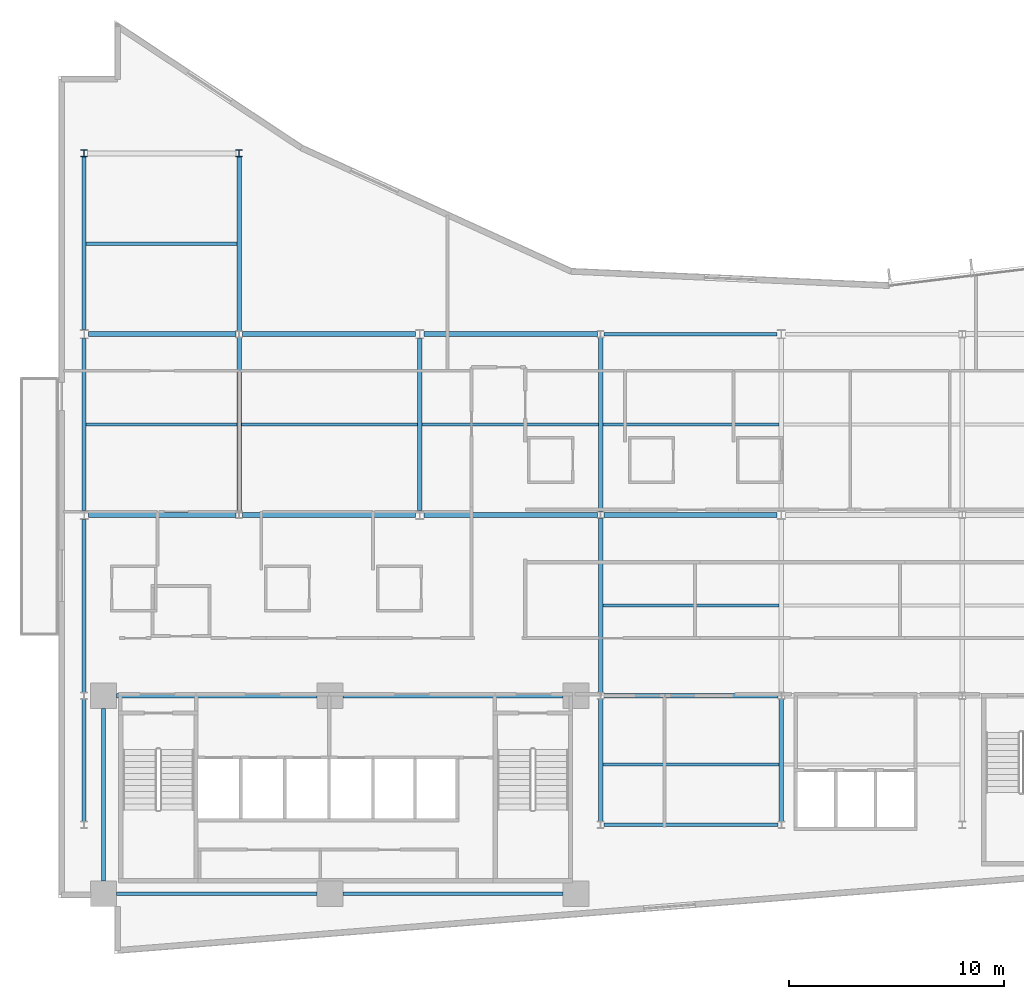
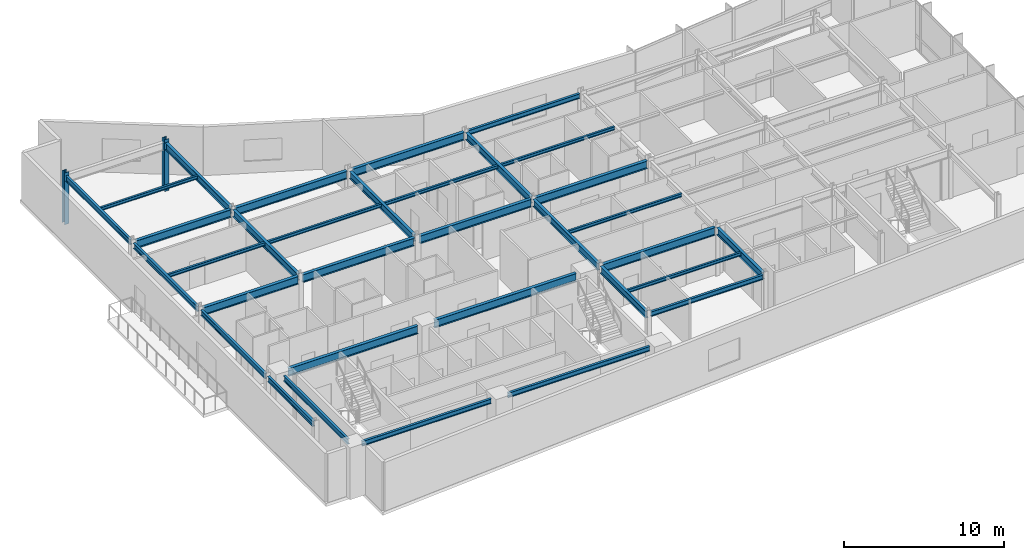
# One storey, part 3 of 18: 33 beams, 2 columns.
"""IFC4 building model written with IfcOpenShell, lengths in metres."""

from ifc_helpers import new_model, si_unit, direction, frame, origin, origin_2d, place, context, subcontext, project, spatial, i_section, extrude, material, material_profile, profile_set, type_object, element, save


model = new_model("IFC4")

# Units and contexts
model_context = context("Model", 3, precision=1e-05, world=origin(), true_north=direction((0.0, 1.0)))
body_context = subcontext(model_context, "Body", "Model", "MODEL_VIEW")
ifc_project = project(units=[si_unit("LENGTHUNIT", "METRE"), si_unit("AREAUNIT", "SQUARE_METRE"), si_unit("VOLUMEUNIT", "CUBIC_METRE"), si_unit("PLANEANGLEUNIT", "RADIAN"), si_unit("MASSUNIT", "GRAM", prefix="KILO")], contexts=[model_context])

# Site, building, storey
site_placement = place(None, origin())
site = spatial("IfcSite", under=ifc_project, at=site_placement, CompositionType="ELEMENT")
building_placement = place(site_placement, origin())
building = spatial("IfcBuilding", under=site, at=building_placement, Name="Varnakote Quay Hospital", CompositionType="ELEMENT")
storey_placement = place(building_placement, frame((0.0, 0.0, 119.14990234375)))
storey = spatial("IfcBuildingStorey", under=building, at=storey_placement, Name="L29", CompositionType="ELEMENT", Elevation=119.14990234375)

# Columns
ifc_material_1 = material(Name="Structural steel AS/NZS 3679.1 Grade 350 L0 (fy 340 MPa)", Category="steel")
ifc_material_profile_1 = material_profile(ifc_material_1, i_section(OverallWidth=0.30908203125, OverallDepth=0.321044921875, WebThickness=0.013916015625, FlangeThickness=0.021728515625, FilletRadius=0.0166015625, at=origin_2d()), Name="310UC137")
ifc_profile_set_1 = profile_set([ifc_material_profile_1], Name="Structural steel AS/NZS 3679.1 Grade 350 L0 (fy 340 MPa)")
column_type = type_object("IfcColumnType", Name="COL-STL-310UC137", PredefinedType="COLUMN", material=ifc_profile_set_1)
for number, where, z_axis, x_axis, name in (
    (1, (1.199951171875, 37.199951171875, 0.0), (0.0, 0.0, 1.0), (1.0, 0.0, 0.0), "L29 Structural Column C-1-37"),
    (2, (8.39990234375, 37.199951171875, 0.0), (0.0, 0.0, 1.0), (1.0, 0.0, 0.0), "L29 Structural Column C-8-37"),
):
    element("IfcColumn", number, at=place(storey_placement, frame(where, z_axis=z_axis, x_axis=x_axis)), inside=storey, type_object=column_type, Name=name, PredefinedType="COLUMN", context=body_context, shape_type="SweptSolid", body=[
        extrude(i_section(OverallWidth=0.30908203125, OverallDepth=0.321044921875, WebThickness=0.013916015625, FlangeThickness=0.021728515625, FilletRadius=0.0166015625, at=origin_2d()), origin(), (0.0, 0.0, 1.0), 3.9501953125),
    ])

# Beams
ifc_material_2 = material(Name="Structural steel AS/NZS 3679.1 Grade 350 L0 (fy 340 MPa)", Category="steel")
ifc_material_profile_2 = material_profile(ifc_material_2, i_section(OverallWidth=0.208984375, OverallDepth=0.532958984375, WebThickness=0.01025390625, FlangeThickness=0.015625, FilletRadius=0.013916015625, at=origin_2d()), Name="530UB92.4")
ifc_profile_set_2 = profile_set([ifc_material_profile_2], Name="Structural steel AS/NZS 3679.1 Grade 350 L0 (fy 340 MPa)")
beam_type_1 = type_object("IfcBeamType", Name="BM-STL-530UB92-4", PredefinedType="BEAM", material=ifc_profile_set_2)
beam_1_placement = place(storey_placement, frame((8.39990234375, 20.560546875, 3.443603515625), z_axis=(0.0, 1.0, 0.0), x_axis=(-1.0, 0.0, 0.0)))
element("IfcBeam", 3, at=beam_1_placement, inside=storey, type_object=beam_type_1, Name="L29 Primary Tie Beam", PredefinedType="BEAM", context=body_context, shape_type="SweptSolid", body=[
    extrude(i_section(OverallWidth=0.208984375, OverallDepth=0.532958984375, WebThickness=0.01025390625, FlangeThickness=0.015625, FilletRadius=0.013916015625, at=origin_2d()), origin(), (0.0, 0.0, 1.0), 8.078857421875),
])
beam_2_placement = place(storey_placement, frame((8.39990234375, 28.96044921875, 3.443603515625), z_axis=(0.0, 1.0, 0.0), x_axis=(-1.0, 0.0, 0.0)))
element("IfcBeam", 4, at=beam_2_placement, inside=storey, type_object=beam_type_1, Name="L29 Primary Tie Beam", PredefinedType="BEAM", context=body_context, shape_type="SweptSolid", body=[
    extrude(i_section(OverallWidth=0.208984375, OverallDepth=0.532958984375, WebThickness=0.01025390625, FlangeThickness=0.015625, FilletRadius=0.013916015625, at=origin_2d()), origin(), (0.0, 0.0, 1.0), 8.0791015625),
])
beam_3_placement = place(storey_placement, frame((16.800048828125, 20.610107421875, 3.443603515625), z_axis=(0.0, 1.0, 0.0), x_axis=(-1.0, 0.0, 0.0)))
element("IfcBeam", 5, at=beam_3_placement, inside=storey, type_object=beam_type_1, Name="L29 Primary Tie Beam", PredefinedType="BEAM", context=body_context, shape_type="SweptSolid", body=[
    extrude(i_section(OverallWidth=0.208984375, OverallDepth=0.532958984375, WebThickness=0.01025390625, FlangeThickness=0.015625, FilletRadius=0.013916015625, at=origin_2d()), origin(), (0.0, 0.0, 1.0), 7.97998046875),
])
beam_4_placement = place(storey_placement, frame((25.199951171875, 6.160400390625, 3.443603515625), z_axis=(0.0, 1.0, 0.0), x_axis=(-1.0, 0.0, 0.0)))
element("IfcBeam", 6, at=beam_4_placement, inside=storey, type_object=beam_type_1, Name="L29 Primary Tie Beam", PredefinedType="BEAM", context=body_context, shape_type="SweptSolid", body=[
    extrude(i_section(OverallWidth=0.208984375, OverallDepth=0.532958984375, WebThickness=0.01025390625, FlangeThickness=0.015625, FilletRadius=0.013916015625, at=origin_2d()), origin(), (0.0, 0.0, 1.0), 5.67919921875),
])
beam_5_placement = place(storey_placement, frame((25.199951171875, 12.160400390625, 3.443603515625), z_axis=(0.0, 1.0, 0.0), x_axis=(-1.0, 0.0, 0.0)))
element("IfcBeam", 7, at=beam_5_placement, inside=storey, type_object=beam_type_1, Name="L29 Primary Tie Beam", PredefinedType="BEAM", context=body_context, shape_type="SweptSolid", body=[
    extrude(i_section(OverallWidth=0.208984375, OverallDepth=0.532958984375, WebThickness=0.01025390625, FlangeThickness=0.015625, FilletRadius=0.013916015625, at=origin_2d()), origin(), (0.0, 0.0, 1.0), 8.0791015625),
])
beam_6_placement = place(storey_placement, frame((25.199951171875, 20.560546875, 3.443603515625), z_axis=(0.0, 1.0, 0.0), x_axis=(-1.0, 0.0, 0.0)))
element("IfcBeam", 8, at=beam_6_placement, inside=storey, type_object=beam_type_1, Name="L29 Primary Tie Beam", PredefinedType="BEAM", context=body_context, shape_type="SweptSolid", body=[
    extrude(i_section(OverallWidth=0.208984375, OverallDepth=0.532958984375, WebThickness=0.01025390625, FlangeThickness=0.015625, FilletRadius=0.013916015625, at=origin_2d()), origin(), (0.0, 0.0, 1.0), 8.078857421875),
])
beam_7_placement = place(storey_placement, frame((33.60009765625, 6.160400390625, 3.443603515625), z_axis=(0.0, 1.0, 0.0), x_axis=(-1.0, 0.0, 0.0)))
element("IfcBeam", 9, at=beam_7_placement, inside=storey, type_object=beam_type_1, Name="L29 Primary Tie Beam", PredefinedType="BEAM", context=body_context, shape_type="SweptSolid", body=[
    extrude(i_section(OverallWidth=0.208984375, OverallDepth=0.532958984375, WebThickness=0.01025390625, FlangeThickness=0.015625, FilletRadius=0.013916015625, at=origin_2d()), origin(), (0.0, 0.0, 1.0), 5.67919921875),
])
ifc_material_3 = material(Name="Structural steel AS/NZS 3679.1 Grade 350 L0 (fy 340 MPa)", Category="steel")
ifc_material_profile_3 = material_profile(ifc_material_3, i_section(OverallWidth=0.22802734375, OverallDepth=0.60205078125, WebThickness=0.010498046875, FlangeThickness=0.014892578125, FilletRadius=0.013916015625, at=origin_2d()), Name="610UB101")
ifc_profile_set_3 = profile_set([ifc_material_profile_3], Name="Structural steel AS/NZS 3679.1 Grade 350 L0 (fy 340 MPa)")
beam_type_2 = type_object("IfcBeamType", Name="BM-STL-610UB101", PredefinedType="BEAM", material=ifc_profile_set_3)
beam_8_placement = place(storey_placement, frame((2.699951171875, 12.0, 3.4091796875), z_axis=(1.0, 0.0, 0.0), x_axis=(0.0, 1.0, 0.0)))
element("IfcBeam", 10, at=beam_8_placement, inside=storey, type_object=beam_type_2, Name="L29 Primary Floor Beam", PredefinedType="BEAM", context=body_context, shape_type="SweptSolid", body=[
    extrude(i_section(OverallWidth=0.22802734375, OverallDepth=0.60205078125, WebThickness=0.010498046875, FlangeThickness=0.014892578125, FilletRadius=0.013916015625, at=origin_2d()), origin(), (0.0, 0.0, 1.0), 9.320068359375),
])
beam_9_placement = place(storey_placement, frame((13.219970703125, 12.0, 3.4091796875), z_axis=(1.0, 0.0, 0.0), x_axis=(0.0, 1.0, 0.0)))
element("IfcBeam", 11, at=beam_9_placement, inside=storey, type_object=beam_type_2, Name="L29 Primary Floor Beam", PredefinedType="BEAM", context=body_context, shape_type="SweptSolid", body=[
    extrude(i_section(OverallWidth=0.22802734375, OverallDepth=0.60205078125, WebThickness=0.010498046875, FlangeThickness=0.014892578125, FilletRadius=0.013916015625, at=origin_2d()), origin(), (0.0, 0.0, 1.0), 10.22998046875),
])
beam_10_placement = place(storey_placement, frame((25.3544921875, 12.0, 3.4091796875), z_axis=(1.0, 0.0, 0.0), x_axis=(0.0, 1.0, 0.0)))
element("IfcBeam", 12, at=beam_10_placement, inside=storey, type_object=beam_type_2, Name="L29 Primary Floor Beam", PredefinedType="BEAM", context=body_context, shape_type="SweptSolid", body=[
    extrude(i_section(OverallWidth=0.22802734375, OverallDepth=0.60205078125, WebThickness=0.010498046875, FlangeThickness=0.014892578125, FilletRadius=0.013916015625, at=origin_2d()), origin(), (0.0, 0.0, 1.0), 8.091064453125),
])
beam_11_placement = place(storey_placement, frame((1.39990234375, 20.39990234375, 3.4091796875), z_axis=(1.0, 0.0, 0.0), x_axis=(0.0, 1.0, 0.0)))
element("IfcBeam", 13, at=beam_11_placement, inside=storey, type_object=beam_type_2, Name="L29 Primary Floor Beam", PredefinedType="BEAM", context=body_context, shape_type="SweptSolid", body=[
    extrude(i_section(OverallWidth=0.22802734375, OverallDepth=0.60205078125, WebThickness=0.010498046875, FlangeThickness=0.014892578125, FilletRadius=0.013916015625, at=origin_2d()), origin(), (0.0, 0.0, 1.0), 6.845703125),
])
beam_12_placement = place(storey_placement, frame((8.554443359375, 20.39990234375, 3.4091796875), z_axis=(1.0, 0.0, 0.0), x_axis=(0.0, 1.0, 0.0)))
element("IfcBeam", 14, at=beam_12_placement, inside=storey, type_object=beam_type_2, Name="L29 Primary Floor Beam", PredefinedType="BEAM", context=body_context, shape_type="SweptSolid", body=[
    extrude(i_section(OverallWidth=0.22802734375, OverallDepth=0.60205078125, WebThickness=0.010498046875, FlangeThickness=0.014892578125, FilletRadius=0.013916015625, at=origin_2d()), origin(), (0.0, 0.0, 1.0), 8.045654296875),
])
for number, where, z_axis, x_axis, name in (
    (15, (17.0, 20.39990234375, 3.4091796875), (1.0, 0.0, 0.0), (0.0, 1.0, 0.0), "L29 Primary Floor Beam"),
    (16, (25.3544921875, 20.39990234375, 3.4091796875), (1.0, 0.0, 0.0), (0.0, 1.0, 0.0), "L29 Primary Floor Beam"),
):
    element("IfcBeam", number, at=place(storey_placement, frame(where, z_axis=z_axis, x_axis=x_axis)), inside=storey, type_object=beam_type_2, Name=name, PredefinedType="BEAM", context=body_context, shape_type="SweptSolid", body=[
        extrude(i_section(OverallWidth=0.22802734375, OverallDepth=0.60205078125, WebThickness=0.010498046875, FlangeThickness=0.014892578125, FilletRadius=0.013916015625, at=origin_2d()), origin(), (0.0, 0.0, 1.0), 8.04541015625),
    ])
beam_13_placement = place(storey_placement, frame((1.39990234375, 28.800048828125, 3.4091796875), z_axis=(1.0, 0.0, 0.0), x_axis=(0.0, 1.0, 0.0)))
element("IfcBeam", 17, at=beam_13_placement, inside=storey, type_object=beam_type_2, Name="L29 Primary Floor Beam", PredefinedType="BEAM", context=body_context, shape_type="SweptSolid", body=[
    extrude(i_section(OverallWidth=0.22802734375, OverallDepth=0.60205078125, WebThickness=0.010498046875, FlangeThickness=0.014892578125, FilletRadius=0.013916015625, at=origin_2d()), origin(), (0.0, 0.0, 1.0), 6.845703125),
])
beam_14_placement = place(storey_placement, frame((8.554443359375, 28.800048828125, 3.4091796875), z_axis=(1.0, 0.0, 0.0), x_axis=(0.0, 1.0, 0.0)))
element("IfcBeam", 18, at=beam_14_placement, inside=storey, type_object=beam_type_2, Name="L29 Primary Floor Beam", PredefinedType="BEAM", context=body_context, shape_type="SweptSolid", body=[
    extrude(i_section(OverallWidth=0.22802734375, OverallDepth=0.60205078125, WebThickness=0.010498046875, FlangeThickness=0.014892578125, FilletRadius=0.013916015625, at=origin_2d()), origin(), (0.0, 0.0, 1.0), 8.045654296875),
])
beam_15_placement = place(storey_placement, frame((17.0, 28.800048828125, 3.4091796875), z_axis=(1.0, 0.0, 0.0), x_axis=(0.0, 1.0, 0.0)))
element("IfcBeam", 19, at=beam_15_placement, inside=storey, type_object=beam_type_2, Name="L29 Primary Floor Beam", PredefinedType="BEAM", context=body_context, shape_type="SweptSolid", body=[
    extrude(i_section(OverallWidth=0.22802734375, OverallDepth=0.60205078125, WebThickness=0.010498046875, FlangeThickness=0.014892578125, FilletRadius=0.013916015625, at=origin_2d()), origin(), (0.0, 0.0, 1.0), 8.04541015625),
])
ifc_material_4 = material(Name="Structural steel AS/NZS 3679.1 Grade 350 L0 (fy 340 MPa)", Category="steel")
ifc_material_profile_4 = material_profile(ifc_material_4, i_section(OverallWidth=0.14599609375, OverallDepth=0.256103515625, WebThickness=0.00634765625, FlangeThickness=0.010986328125, FilletRadius=0.0087890625, at=origin_2d()), Name="250UB37.3")
ifc_profile_set_4 = profile_set([ifc_material_profile_4], Name="Structural steel AS/NZS 3679.1 Grade 350 L0 (fy 340 MPa)")
beam_type_3 = type_object("IfcBeamType", Name="JST-STL-250UB37-3", PredefinedType="JOIST", material=ifc_profile_set_4)
for number, where, z_axis, x_axis, name in (
    (20, (25.304443359375, 8.800048828125, 3.58203125), (1.0, 0.0, 0.0), (0.0, 1.0, 0.0), "L29 Composite Floor Joist"),
    (21, (25.304443359375, 16.199951171875, 3.58203125), (1.0, 0.0, 0.0), (0.0, 1.0, 0.0), "L29 Composite Floor Joist"),
):
    element("IfcBeam", number, at=place(storey_placement, frame(where, z_axis=z_axis, x_axis=x_axis)), inside=storey, type_object=beam_type_3, Name=name, PredefinedType="JOIST", context=body_context, shape_type="SweptSolid", body=[
        extrude(i_section(OverallWidth=0.14599609375, OverallDepth=0.256103515625, WebThickness=0.00634765625, FlangeThickness=0.010986328125, FilletRadius=0.0087890625, at=origin_2d()), origin(), (0.0, 0.0, 1.0), 8.191162109375),
    ])
beam_16_placement = place(storey_placement, frame((1.2890625, 24.60009765625, 3.58203125), z_axis=(1.0, 0.0, 0.0), x_axis=(0.0, 1.0, 0.0)))
element("IfcBeam", 22, at=beam_16_placement, inside=storey, type_object=beam_type_3, Name="L29 Composite Floor Joist", PredefinedType="JOIST", context=body_context, shape_type="SweptSolid", body=[
    extrude(i_section(OverallWidth=0.14599609375, OverallDepth=0.256103515625, WebThickness=0.00634765625, FlangeThickness=0.010986328125, FilletRadius=0.0087890625, at=origin_2d()), origin(), (0.0, 0.0, 1.0), 7.00634765625),
])
beam_17_placement = place(storey_placement, frame((8.50439453125, 24.60009765625, 3.58203125), z_axis=(1.0, 0.0, 0.0), x_axis=(0.0, 1.0, 0.0)))
element("IfcBeam", 23, at=beam_17_placement, inside=storey, type_object=beam_type_3, Name="L29 Composite Floor Joist", PredefinedType="JOIST", context=body_context, shape_type="SweptSolid", body=[
    extrude(i_section(OverallWidth=0.14599609375, OverallDepth=0.256103515625, WebThickness=0.00634765625, FlangeThickness=0.010986328125, FilletRadius=0.0087890625, at=origin_2d()), origin(), (0.0, 0.0, 1.0), 8.191162109375),
])
beam_18_placement = place(storey_placement, frame((16.904541015625, 24.60009765625, 3.58203125), z_axis=(1.0, 0.0, 0.0), x_axis=(0.0, 1.0, 0.0)))
element("IfcBeam", 24, at=beam_18_placement, inside=storey, type_object=beam_type_3, Name="L29 Composite Floor Joist", PredefinedType="JOIST", context=body_context, shape_type="SweptSolid", body=[
    extrude(i_section(OverallWidth=0.14599609375, OverallDepth=0.256103515625, WebThickness=0.00634765625, FlangeThickness=0.010986328125, FilletRadius=0.0087890625, at=origin_2d()), origin(), (0.0, 0.0, 1.0), 8.19091796875),
])
beam_19_placement = place(storey_placement, frame((25.304443359375, 24.60009765625, 3.58203125), z_axis=(1.0, 0.0, 0.0), x_axis=(0.0, 1.0, 0.0)))
element("IfcBeam", 25, at=beam_19_placement, inside=storey, type_object=beam_type_3, Name="L29 Composite Floor Joist", PredefinedType="JOIST", context=body_context, shape_type="SweptSolid", body=[
    extrude(i_section(OverallWidth=0.14599609375, OverallDepth=0.256103515625, WebThickness=0.00634765625, FlangeThickness=0.010986328125, FilletRadius=0.0087890625, at=origin_2d()), origin(), (0.0, 0.0, 1.0), 8.191162109375),
])
beam_20_placement = place(storey_placement, frame((1.2890625, 33.0, 3.58203125), z_axis=(1.0, 0.0, 0.0), x_axis=(0.0, 1.0, 0.0)))
element("IfcBeam", 26, at=beam_20_placement, inside=storey, type_object=beam_type_3, Name="L29 Composite Floor Joist", PredefinedType="JOIST", context=body_context, shape_type="SweptSolid", body=[
    extrude(i_section(OverallWidth=0.14599609375, OverallDepth=0.256103515625, WebThickness=0.00634765625, FlangeThickness=0.010986328125, FilletRadius=0.0087890625, at=origin_2d()), origin(), (0.0, 0.0, 1.0), 7.00634765625),
])
ifc_material_5 = material(Name="Structural steel AS/NZS 3679.1 Grade 350 L0 (fy 340 MPa)", Category="steel")
ifc_material_profile_5 = material_profile(ifc_material_5, i_section(OverallWidth=0.172119140625, OverallDepth=0.35888671875, WebThickness=0.008056640625, FlangeThickness=0.012939453125, FilletRadius=0.011474609375, at=origin_2d()), Name="360UB56.7")
ifc_profile_set_5 = profile_set([ifc_material_profile_5], Name="Structural steel AS/NZS 3679.1 Grade 350 L0 (fy 340 MPa)")
beam_type_4 = type_object("IfcBeamType", Name="SPN-STL-360UB56-7", PredefinedType="SPANDREL", material=ifc_profile_set_5)
beam_21_placement = place(storey_placement, frame((2.699951171875, 2.800048828125, 3.530517578125), z_axis=(1.0, 0.0, 0.0), x_axis=(0.0, 1.0, 0.0)))
element("IfcBeam", 27, at=beam_21_placement, inside=storey, type_object=beam_type_4, Name="L29 Perimeter Spandrel Beam", PredefinedType="SPANDREL", context=body_context, shape_type="SweptSolid", body=[
    extrude(i_section(OverallWidth=0.172119140625, OverallDepth=0.35888671875, WebThickness=0.008056640625, FlangeThickness=0.012939453125, FilletRadius=0.011474609375, at=origin_2d()), origin(), (0.0, 0.0, 1.0), 9.320068359375),
])
beam_22_placement = place(storey_placement, frame((13.219970703125, 2.800048828125, 3.530517578125), z_axis=(1.0, 0.0, 0.0), x_axis=(0.0, 1.0, 0.0)))
element("IfcBeam", 28, at=beam_22_placement, inside=storey, type_object=beam_type_4, Name="L29 Perimeter Spandrel Beam", PredefinedType="SPANDREL", context=body_context, shape_type="SweptSolid", body=[
    extrude(i_section(OverallWidth=0.172119140625, OverallDepth=0.35888671875, WebThickness=0.008056640625, FlangeThickness=0.012939453125, FilletRadius=0.011474609375, at=origin_2d()), origin(), (0.0, 0.0, 1.0), 10.22998046875),
])
beam_23_placement = place(storey_placement, frame((25.3544921875, 6.0, 3.530517578125), z_axis=(1.0, 0.0, 0.0), x_axis=(0.0, 1.0, 0.0)))
element("IfcBeam", 29, at=beam_23_placement, inside=storey, type_object=beam_type_4, Name="L29 Perimeter Spandrel Beam", PredefinedType="SPANDREL", context=body_context, shape_type="SweptSolid", body=[
    extrude(i_section(OverallWidth=0.172119140625, OverallDepth=0.35888671875, WebThickness=0.008056640625, FlangeThickness=0.012939453125, FilletRadius=0.011474609375, at=origin_2d()), origin(), (0.0, 0.0, 1.0), 8.091064453125),
])
beam_24_placement = place(storey_placement, frame((25.3544921875, 28.800048828125, 3.530517578125), z_axis=(1.0, 0.0, 0.0), x_axis=(0.0, 1.0, 0.0)))
element("IfcBeam", 30, at=beam_24_placement, inside=storey, type_object=beam_type_4, Name="L29 Perimeter Spandrel Beam", PredefinedType="SPANDREL", context=body_context, shape_type="SweptSolid", body=[
    extrude(i_section(OverallWidth=0.172119140625, OverallDepth=0.35888671875, WebThickness=0.008056640625, FlangeThickness=0.012939453125, FilletRadius=0.011474609375, at=origin_2d()), origin(), (0.0, 0.0, 1.0), 8.04541015625),
])
ifc_material_6 = material(Name="Structural steel AS/NZS 3679.1 Grade 350 L0 (fy 340 MPa)", Category="steel")
ifc_material_profile_6 = material_profile(ifc_material_6, i_section(OverallWidth=0.177978515625, OverallDepth=0.403076171875, WebThickness=0.007568359375, FlangeThickness=0.010986328125, FilletRadius=0.011474609375, at=origin_2d()), Name="410UB53.7")
ifc_profile_set_6 = profile_set([ifc_material_profile_6], Name="Structural steel AS/NZS 3679.1 Grade 350 L0 (fy 340 MPa)")
beam_type_5 = type_object("IfcBeamType", Name="SPN-STL-410UB53-7", PredefinedType="SPANDREL", material=ifc_profile_set_6)
beam_25_placement = place(storey_placement, frame((1.199951171875, 6.160400390625, 3.508544921875), z_axis=(0.0, 1.0, 0.0), x_axis=(-1.0, 0.0, 0.0)))
element("IfcBeam", 31, at=beam_25_placement, inside=storey, type_object=beam_type_5, Name="L29 Perimeter Spandrel Beam", PredefinedType="SPANDREL", context=body_context, shape_type="SweptSolid", body=[
    extrude(i_section(OverallWidth=0.177978515625, OverallDepth=0.403076171875, WebThickness=0.007568359375, FlangeThickness=0.010986328125, FilletRadius=0.011474609375, at=origin_2d()), origin(), (0.0, 0.0, 1.0), 5.67919921875),
])
beam_26_placement = place(storey_placement, frame((1.199951171875, 12.160400390625, 3.508544921875), z_axis=(0.0, 1.0, 0.0), x_axis=(-1.0, 0.0, 0.0)))
element("IfcBeam", 32, at=beam_26_placement, inside=storey, type_object=beam_type_5, Name="L29 Perimeter Spandrel Beam", PredefinedType="SPANDREL", context=body_context, shape_type="SweptSolid", body=[
    extrude(i_section(OverallWidth=0.177978515625, OverallDepth=0.403076171875, WebThickness=0.007568359375, FlangeThickness=0.010986328125, FilletRadius=0.011474609375, at=origin_2d()), origin(), (0.0, 0.0, 1.0), 8.029541015625),
])
beam_27_placement = place(storey_placement, frame((1.199951171875, 20.610107421875, 3.508544921875), z_axis=(0.0, 1.0, 0.0), x_axis=(-1.0, 0.0, 0.0)))
element("IfcBeam", 33, at=beam_27_placement, inside=storey, type_object=beam_type_5, Name="L29 Perimeter Spandrel Beam", PredefinedType="SPANDREL", context=body_context, shape_type="SweptSolid", body=[
    extrude(i_section(OverallWidth=0.177978515625, OverallDepth=0.403076171875, WebThickness=0.007568359375, FlangeThickness=0.010986328125, FilletRadius=0.011474609375, at=origin_2d()), origin(), (0.0, 0.0, 1.0), 7.97998046875),
])
beam_28_placement = place(storey_placement, frame((1.199951171875, 29.010009765625, 3.508544921875), z_axis=(0.0, 1.0, 0.0), x_axis=(-1.0, 0.0, 0.0)))
element("IfcBeam", 34, at=beam_28_placement, inside=storey, type_object=beam_type_5, Name="L29 Perimeter Spandrel Beam", PredefinedType="SPANDREL", context=body_context, shape_type="SweptSolid", body=[
    extrude(i_section(OverallWidth=0.177978515625, OverallDepth=0.403076171875, WebThickness=0.007568359375, FlangeThickness=0.010986328125, FilletRadius=0.011474609375, at=origin_2d()), origin(), (0.0, 0.0, 1.0), 8.029541015625),
])
beam_29_placement = place(storey_placement, frame((2.10009765625, 3.39990234375, 3.508544921875), z_axis=(0.0, 1.0, 0.0), x_axis=(-1.0, 0.0, 0.0)))
element("IfcBeam", 35, at=beam_29_placement, inside=storey, type_object=beam_type_5, Name="L29 Perimeter Spandrel Beam", PredefinedType="SPANDREL", context=body_context, shape_type="SweptSolid", body=[
    extrude(i_section(OverallWidth=0.177978515625, OverallDepth=0.403076171875, WebThickness=0.007568359375, FlangeThickness=0.010986328125, FilletRadius=0.011474609375, at=origin_2d()), origin(), (0.0, 0.0, 1.0), 8.0),
])

save(model, "model.ifc")
